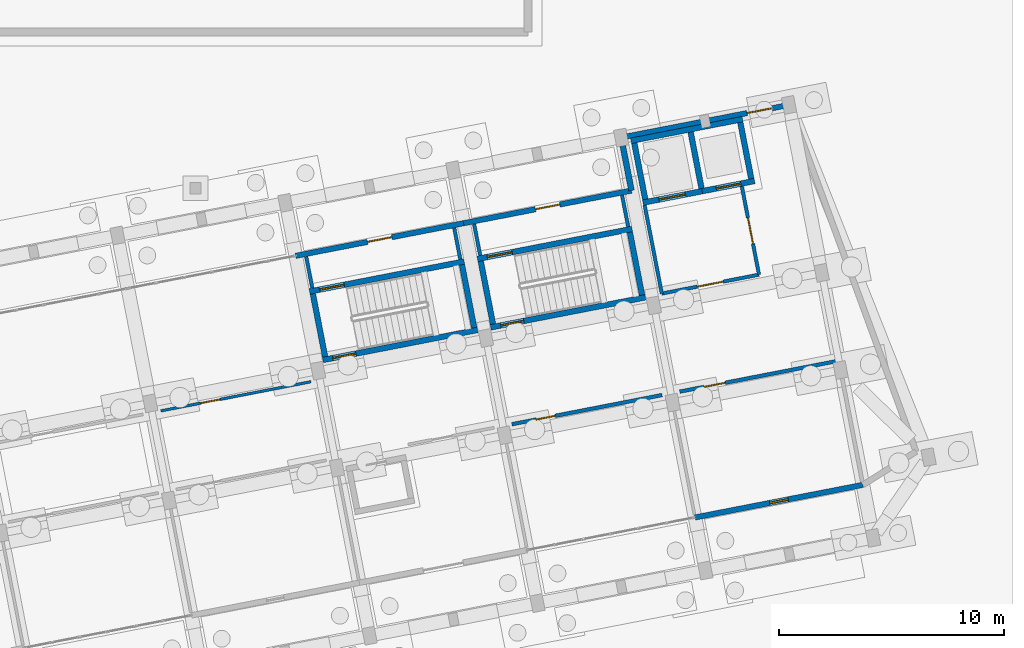
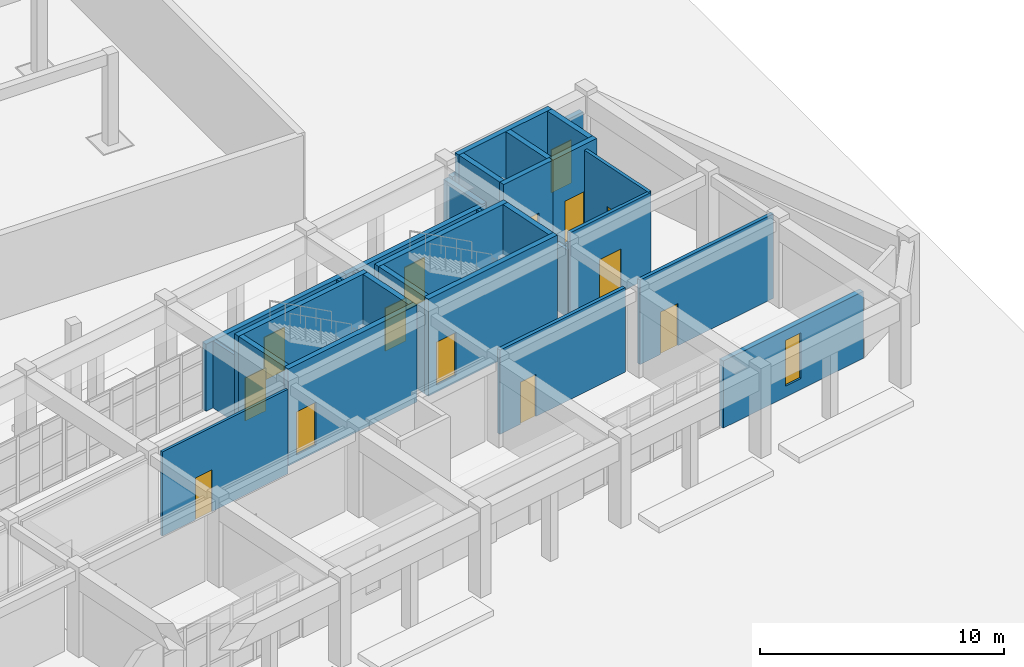
# One storey, part 128 of 154: 29 walls, 14 doors, 1 window, 15 openings.
"""IFC4 building model written with IfcOpenShell, lengths in metres."""

from ifc_helpers import new_model, si_unit, direction, frame, frame_2d, origin, place, context, subcontext, project, spatial, rectangle, extrude, material, layer, layer_set, type_object, element, fill, save


model = new_model("IFC4")

# Units and contexts
model_context = context("Model", 3, precision=1e-05, world=origin(), true_north=direction((0.0, 1.0)))
body_context = subcontext(model_context, "Body", "Model", "MODEL_VIEW")
ifc_project = project(units=[si_unit("LENGTHUNIT", "METRE"), si_unit("AREAUNIT", "SQUARE_METRE"), si_unit("VOLUMEUNIT", "CUBIC_METRE"), si_unit("PLANEANGLEUNIT", "RADIAN"), si_unit("MASSUNIT", "GRAM", prefix="KILO")], contexts=[model_context])

# Site, building, storey
site_placement = place(None, origin())
site = spatial("IfcSite", under=ifc_project, at=site_placement, CompositionType="ELEMENT")
building_placement = place(site_placement, origin())
building = spatial("IfcBuilding", under=site, at=building_placement, Name="Kestramere Prow Commons", CompositionType="ELEMENT")
storey_placement = place(building_placement, origin())
storey = spatial("IfcBuildingStorey", under=building, at=storey_placement, Name="L00", CompositionType="ELEMENT", Elevation=0.0)

# Wall
ifc_material_1 = material(Name="Weathered Zinc-Titanium Standing-Seam Cladding")
ifc_layer_1 = layer(ifc_material_1, 0.260009765625)
ifc_layer_set_1 = layer_set([ifc_layer_1], Name="Weathered Zinc-Titanium Standing-Seam Cladding")
wall_type_1 = type_object("IfcWallType", Name="EW-PROW-260", PredefinedType="SOLIDWALL", material=ifc_layer_set_1)
wall_1_placement = place(storey_placement, frame((152.419921875, 58.134765625, 0.0), z_axis=(0.0, 0.0, 1.0), x_axis=(-0.190831541356, 0.981622800685, 0.0)))
element("IfcWall", 1, at=wall_1_placement, inside=storey, type_object=wall_type_1, Name="Block D L00 STP-N Wall", PredefinedType="SOLIDWALL", context=body_context, shape_type="SweptSolid", body=[
    extrude(rectangle(XDim=2.400146484375, YDim=0.260009765625, at=frame_2d((1.2001953125, 0.0))), origin(), (0.0, 0.0, 1.0), 3.35009765625),
])

# Wall, opening, window
ifc_material_2 = material(Name="Fluoropolymer Standing-Seam Zinc-Aluminium Cladding", Category="aluminium")
ifc_layer_2 = layer(ifc_material_2, 0.239990234375)
ifc_layer_set_2 = layer_set([ifc_layer_2], Name="Fluoropolymer Standing-Seam Zinc-Aluminium Cladding")
wall_type_2 = type_object("IfcWallType", Name="EW-SEAM-240", PredefinedType="SOLIDWALL", material=ifc_layer_set_2)
wall_2_placement = place(storey_placement, frame((162.704345703125, 45.056884765625, 0.0), z_axis=(0.0, 0.0, 1.0), x_axis=(-0.981626422232, -0.190812911449, 0.0)))
wall_2 = element("IfcWall", 2, at=wall_2_placement, inside=storey, type_object=wall_type_2, Name="Block D L00 South Recessed Wall 6", PredefinedType="SOLIDWALL", context=body_context, shape_type="SweptSolid", body=[
    extrude(rectangle(XDim=7.60009765625, YDim=0.239990234375, at=frame_2d((3.800048828125, 0.0))), origin(), (0.0, 0.0, 1.0), 3.35009765625),
])
opening_1_placement = place(wall_2_placement, frame((3.3798828125, 0.0, 0.550048828125)))
opening_1 = element("IfcOpeningElement", 3, at=opening_1_placement, cuts=wall_2, Name="Opening WN-14", PredefinedType="OPENING", context=body_context, shape_type="SweptSolid", body=[
    extrude(rectangle(XDim=0.840087890625, YDim=2.280029296875, at=frame_2d((0.419921875, 1.14013671875))), frame((0.0, 0.135009765625, 0.0), z_axis=(0.0, -1.0, 0.0), x_axis=(1.0, 0.0, 0.0)), (0.0, 0.0, 1.0), 0.27001953125),
])
ifc_material_3 = material(Name="Low-E Laminated Double Glazing", Category="glass")
window_type = type_object("IfcWindowType", Name="WN-NAR-840A", PartitioningType="DOUBLE_PANEL_VERTICAL", PredefinedType="WINDOW", material=ifc_material_3)
window_placement = place(opening_1_placement, origin())
window = element("IfcWindow", 4, at=window_placement, inside=storey, type_object=window_type, Name="WN-D-L00-S-5", OverallHeight=2.280029296875, OverallWidth=0.840087890625, PartitioningType="SINGLE_PANEL", PredefinedType="WINDOW", context=body_context, shape_type="SweptSolid", body=[
    extrude(rectangle(XDim=0.840087890625, YDim=2.280029296875, at=frame_2d((0.419921875, 1.14013671875))), frame((0.0, 0.030029296875, 0.0), z_axis=(0.0, -1.0, 0.0), x_axis=(1.0, 0.0, 0.0)), (0.0, 0.0, 1.0), 0.06005859375),
])
fill(opening_1, window)

# Wall, opening, door
wall_3_placement = place(storey_placement, frame((137.499267578125, 55.234375, 0.0), z_axis=(0.0, 0.0, 1.0), x_axis=(0.981625252578, 0.19081892857, 0.0)))
wall_3 = element("IfcWall", 5, at=wall_3_placement, inside=storey, type_object=wall_type_2, Name="Block D L00 North Recessed Wall 4", PredefinedType="SOLIDWALL", context=body_context, shape_type="SweptSolid", body=[
    extrude(rectangle(XDim=7.599853515625, YDim=0.239990234375, at=frame_2d((3.7998046875, 0.0))), origin(), (0.0, 0.0, 1.0), 3.35009765625),
])
opening_2_placement = place(wall_3_placement, frame((3.25, 0.0, 0.0)))
opening_2 = element("IfcOpeningElement", 6, at=opening_2_placement, cuts=wall_3, Name="Opening ED-03", PredefinedType="OPENING", context=body_context, shape_type="SweptSolid", body=[
    extrude(rectangle(XDim=1.10009765625, YDim=2.14990234375, at=frame_2d((0.550048828125, 1.074951171875))), frame((0.0, 0.135009765625, 0.0), z_axis=(0.0, -1.0, 0.0), x_axis=(1.0, 0.0, 0.0)), (0.0, 0.0, 1.0), 0.27001953125),
])
ifc_material_4 = material(Name="Thermally-Broken Anodised Aluminium Glazed", Category="aluminium")
door_type_1 = type_object("IfcDoorType", Name="ED-STAIR-1100", OperationType="NOTDEFINED", PredefinedType="DOOR", material=ifc_material_4)
door_1_placement = place(opening_2_placement, origin())
door_1 = element("IfcDoor", 7, at=door_1_placement, inside=storey, type_object=door_type_1, Name="Block D Stair 1 Final Exit Door", OperationType="SINGLE_SWING_RIGHT", OverallHeight=2.14990234375, OverallWidth=1.10009765625, PredefinedType="DOOR", context=body_context, shape_type="SweptSolid", body=[
    extrude(rectangle(XDim=1.10009765625, YDim=2.14990234375, at=frame_2d((0.550048828125, 1.074951171875))), frame((0.0, 0.02490234375, 0.0), z_axis=(0.0, -1.0, 0.0), x_axis=(1.0, 0.0, 0.0)), (0.0, 0.0, 1.0), 0.050048828125),
])
fill(opening_2, door_1)

wall_4_placement = place(storey_placement, frame((144.95947265625, 56.6845703125, 0.0), z_axis=(0.0, 0.0, 1.0), x_axis=(0.981626422232, 0.190812911449, 0.0)))
wall_4 = element("IfcWall", 8, at=wall_4_placement, inside=storey, type_object=wall_type_2, Name="Block D L00 North Recessed Wall 5", PredefinedType="SOLIDWALL", context=body_context, shape_type="SweptSolid", body=[
    extrude(rectangle(XDim=7.60009765625, YDim=0.239990234375, at=frame_2d((3.800048828125, 0.0))), origin(), (0.0, 0.0, 1.0), 3.35009765625),
])
opening_3_placement = place(wall_4_placement, frame((3.25, 0.0, 0.0)))
opening_3 = element("IfcOpeningElement", 9, at=opening_3_placement, cuts=wall_4, Name="Opening ED-03", PredefinedType="OPENING", context=body_context, shape_type="SweptSolid", body=[
    extrude(rectangle(XDim=1.10009765625, YDim=2.14990234375, at=frame_2d((0.550048828125, 1.074951171875))), frame((0.0, 0.135009765625, 0.0), z_axis=(0.0, -1.0, 0.0), x_axis=(1.0, 0.0, 0.0)), (0.0, 0.0, 1.0), 0.27001953125),
])
door_2_placement = place(opening_3_placement, origin())
door_2 = element("IfcDoor", 10, at=door_2_placement, inside=storey, type_object=door_type_1, Name="Block D Stair 2 Final Exit Door", OperationType="SINGLE_SWING_LEFT", OverallHeight=2.14990234375, OverallWidth=1.10009765625, PredefinedType="DOOR", context=body_context, shape_type="SweptSolid", body=[
    extrude(rectangle(XDim=1.10009765625, YDim=2.14990234375, at=frame_2d((0.550048828125, 1.074951171875))), frame((0.0, 0.02490234375, 0.0), z_axis=(0.0, -1.0, 0.0), x_axis=(1.0, 0.0, 0.0)), (0.0, 0.0, 1.0), 0.050048828125),
])
fill(opening_3, door_2)

wall_5_placement = place(storey_placement, frame((152.207275390625, 60.538330078125, 0.0), z_axis=(0.0, 0.0, 1.0), x_axis=(0.98162827229, 0.190803393686, 0.0)))
wall_5 = element("IfcWall", 11, at=wall_5_placement, inside=storey, type_object=wall_type_2, Name="Block D L00 North Recessed Wall 6", PredefinedType="SOLIDWALL", context=body_context, shape_type="SweptSolid", body=[
    extrude(rectangle(XDim=7.10009765625, YDim=0.239990234375, at=frame_2d((3.550048828125, 0.0))), origin(), (0.0, 0.0, 1.0), 3.35009765625),
])
opening_4_placement = place(wall_5_placement, frame((5.449951171875, 0.0, 0.0)))
opening_4 = element("IfcOpeningElement", 12, at=opening_4_placement, cuts=wall_5, Name="Opening ED-04", PredefinedType="OPENING", context=body_context, shape_type="SweptSolid", body=[
    extrude(rectangle(XDim=1.10009765625, YDim=2.14990234375, at=frame_2d((0.550048828125, 1.074951171875))), frame((0.0, 0.135009765625, 0.0), z_axis=(0.0, -1.0, 0.0), x_axis=(1.0, 0.0, 0.0)), (0.0, 0.0, 1.0), 0.27001953125),
])
door_type_2 = type_object("IfcDoorType", Name="ED-FFL-1100", OperationType="NOTDEFINED", PredefinedType="DOOR", material=ifc_material_4)
door_3_placement = place(opening_4_placement, origin())
door_3 = element("IfcDoor", 13, at=door_3_placement, inside=storey, type_object=door_type_2, Name="Block D Fire-Fighting Lobby Exit Door", OperationType="SINGLE_SWING_RIGHT", OverallHeight=2.14990234375, OverallWidth=1.10009765625, PredefinedType="DOOR", context=body_context, shape_type="SweptSolid", body=[
    extrude(rectangle(XDim=1.10009765625, YDim=2.14990234375, at=frame_2d((0.550048828125, 1.074951171875))), frame((0.0, 0.02490234375, 0.0), z_axis=(0.0, -1.0, 0.0), x_axis=(1.0, 0.0, 0.0)), (0.0, 0.0, 1.0), 0.050048828125),
])
fill(opening_4, door_3)

# Wall
ifc_material_5 = material(Name="Concrete C40/50", Category="concrete")
ifc_layer_3 = layer(ifc_material_5, 0.25)
ifc_layer_set_3 = layer_set([ifc_layer_3], Name="Concrete C40/50")
wall_type_3 = type_object("IfcWallType", Name="W-CORE-250", PredefinedType="SHEAR", material=ifc_layer_set_3)
wall_6_placement = place(storey_placement, frame((152.3974609375, 60.34619140625, -0.35009765625), z_axis=(0.0, 0.0, 1.0), x_axis=(0.981635261308, 0.190767433692, 0.0)))
element("IfcWall", 14, at=wall_6_placement, inside=storey, type_object=wall_type_3, Name="Block D L00 Lift Core Back Wall", PredefinedType="SHEAR", context=body_context, shape_type="SweptSolid", body=[
    extrude(rectangle(XDim=5.050048828125, YDim=0.25, at=frame_2d((2.52490234375, 0.0))), origin(), (0.0, 0.0, 1.0), 4.85009765625),
])

# Wall, opening, door
wall_7_placement = place(storey_placement, frame((152.931884765625, 57.59765625, -0.35009765625), z_axis=(0.0, 0.0, 1.0), x_axis=(0.981636759622, 0.190759723627, 0.0)))
wall_7 = element("IfcWall", 15, at=wall_7_placement, inside=storey, type_object=wall_type_3, Name="Block D L00 Fire Lift Shaft Front Wall", PredefinedType="SHEAR", context=body_context, shape_type="SweptSolid", body=[
    extrude(rectangle(XDim=2.6748046875, YDim=0.25, at=frame_2d((1.33740234375, 0.0))), origin(), (0.0, 0.0, 1.0), 4.85009765625),
])
opening_5_placement = place(wall_7_placement, frame((0.719970703125, 0.0, 0.35009765625)))
opening_5 = element("IfcOpeningElement", 16, at=opening_5_placement, cuts=wall_7, Name="Opening LD-02", PredefinedType="OPENING", context=body_context, shape_type="SweptSolid", body=[
    extrude(rectangle(XDim=1.199951171875, YDim=2.199951171875, at=frame_2d((0.60009765625, 1.10009765625))), frame((0.0, 0.139892578125, 0.0), z_axis=(0.0, -1.0, 0.0), x_axis=(1.0, 0.0, 0.0)), (0.0, 0.0, 1.0), 0.280029296875),
])
ifc_material_6 = material(Name="Brushed Stainless Steel 316", Category="steel")
door_type_3 = type_object("IfcDoorType", Name="LD-02", OperationType="DOUBLE_DOOR_SLIDING", PredefinedType="DOOR", material=ifc_material_6)
door_4_placement = place(opening_5_placement, origin())
door_4 = element("IfcDoor", 17, at=door_4_placement, inside=storey, type_object=door_type_3, Name="FL-D1 L00 Lift Landing Door", OperationType="DOUBLE_DOOR_SLIDING", OverallHeight=2.199951171875, OverallWidth=1.199951171875, PredefinedType="DOOR", context=body_context, shape_type="SweptSolid", body=[
    extrude(rectangle(XDim=1.199951171875, YDim=2.199951171875, at=frame_2d((0.60009765625, 1.10009765625))), frame((0.0, 0.02490234375, 0.0), z_axis=(0.0, -1.0, 0.0), x_axis=(1.0, 0.0, 0.0)), (0.0, 0.0, 1.0), 0.050048828125),
])
fill(opening_5, door_4)

wall_8_placement = place(storey_placement, frame((155.5576171875, 58.10791015625, -0.35009765625), z_axis=(0.0, 0.0, 1.0), x_axis=(0.981633573872, 0.190776116556, 0.0)))
wall_8 = element("IfcWall", 18, at=wall_8_placement, inside=storey, type_object=wall_type_3, Name="Block D L00 Passenger Lift Shaft Front Wall", PredefinedType="SHEAR", context=body_context, shape_type="SweptSolid", body=[
    extrude(rectangle(XDim=2.375244140625, YDim=0.25, at=frame_2d((1.1875, 0.0))), origin(), (0.0, 0.0, 1.0), 4.85009765625),
])
opening_6_placement = place(wall_8_placement, frame((0.64990234375, 0.0, 0.35009765625)))
opening_6 = element("IfcOpeningElement", 19, at=opening_6_placement, cuts=wall_8, Name="Opening LD-01", PredefinedType="OPENING", context=body_context, shape_type="SweptSolid", body=[
    extrude(rectangle(XDim=1.10009765625, YDim=2.14990234375, at=frame_2d((0.550048828125, 1.074951171875))), frame((0.0, 0.139892578125, 0.0), z_axis=(0.0, -1.0, 0.0), x_axis=(1.0, 0.0, 0.0)), (0.0, 0.0, 1.0), 0.280029296875),
])
ifc_material_7 = material(Name="Brushed Stainless Steel 304", Category="steel")
door_type_4 = type_object("IfcDoorType", Name="LD-01", OperationType="DOUBLE_DOOR_SLIDING", PredefinedType="DOOR", material=ifc_material_7)
door_5_placement = place(opening_6_placement, origin())
door_5 = element("IfcDoor", 20, at=door_5_placement, inside=storey, type_object=door_type_4, Name="PL-D2 L00 Lift Landing Door", OperationType="DOUBLE_DOOR_SLIDING", OverallHeight=2.14990234375, OverallWidth=1.10009765625, PredefinedType="DOOR", context=body_context, shape_type="SweptSolid", body=[
    extrude(rectangle(XDim=1.10009765625, YDim=2.14990234375, at=frame_2d((0.550048828125, 1.074951171875))), frame((0.0, 0.02490234375, 0.0), z_axis=(0.0, -1.0, 0.0), x_axis=(1.0, 0.0, 0.0)), (0.0, 0.0, 1.0), 0.050048828125),
])
fill(opening_6, door_5)

# Walls
for number, where, z_axis, x_axis, name in (
    (21, (153.03076171875, 57.744140625, -0.35009765625), (0.0, 0.0, 1.0), (-0.190810719655, 0.98162684828, 0.0), "Block D L00 Lift Core Side Wall L"),
    (22, (155.533935546875, 58.230712890625, -0.35009765625), (0.0, 0.0, 1.0), (-0.190810719655, 0.98162684828, 0.0), "Block D L00 Lift Core Side Wall M"),
    (23, (157.742431640625, 58.659912109375, -0.35009765625), (0.0, 0.0, 1.0), (-0.190810719655, 0.98162684828, 0.0), "Block D L00 Lift Core Side Wall R"),
):
    element("IfcWall", number, at=place(storey_placement, frame(where, z_axis=z_axis, x_axis=x_axis)), inside=storey, type_object=wall_type_3, Name=name, PredefinedType="SHEAR", context=body_context, shape_type="SweptSolid", body=[
        extrude(rectangle(XDim=2.550048828125, YDim=0.25, at=frame_2d((1.27490234375, 0.0))), origin(), (0.0, 0.0, 1.0), 4.85009765625),
    ])

# Wall, opening, door
wall_9_placement = place(storey_placement, frame((138.11328125, 53.6474609375, -0.35009765625), z_axis=(0.0, 0.0, 1.0), x_axis=(0.981626097708, 0.19081458094, 0.0)))
wall_9 = element("IfcWall", 24, at=wall_9_placement, inside=storey, type_object=wall_type_3, Name="ST-D1 L00 North Shaft Wall", PredefinedType="SHEAR", context=body_context, shape_type="SweptSolid", body=[
    extrude(rectangle(XDim=7.0, YDim=0.25, at=frame_2d((3.5, 0.0))), origin(), (0.0, 0.0, 1.0), 4.85009765625),
])
opening_7_placement = place(wall_9_placement, frame((0.449951171875, 0.0, 0.35009765625)))
opening_7 = element("IfcOpeningElement", 25, at=opening_7_placement, cuts=wall_9, Name="Opening ID-02", PredefinedType="OPENING", context=body_context, shape_type="SweptSolid", body=[
    extrude(rectangle(XDim=1.1201171875, YDim=2.14990234375, at=frame_2d((0.56005859375, 1.074951171875))), frame((0.0, 0.139892578125, 0.0), z_axis=(0.0, -1.0, 0.0), x_axis=(1.0, 0.0, 0.0)), (0.0, 0.0, 1.0), 0.280029296875),
])
ifc_material_8 = material(Name="Fire-Rated Timber and Steel Frame", Category="steel")
door_type_5 = type_object("IfcDoorType", Name="FD-ST-02", OperationType="NOTDEFINED", PredefinedType="DOOR", material=ifc_material_8)
door_6_placement = place(opening_7_placement, origin())
door_6 = element("IfcDoor", 26, at=door_6_placement, inside=storey, type_object=door_type_5, Name="ST-D1 L00 Discharge Vestibule Door", OperationType="SINGLE_SWING_RIGHT", OverallHeight=2.14990234375, OverallWidth=1.1201171875, PredefinedType="DOOR", context=body_context, shape_type="SweptSolid", body=[
    extrude(rectangle(XDim=1.1201171875, YDim=2.14990234375, at=frame_2d((0.56005859375, 1.074951171875))), frame((0.0, 0.02490234375, 0.0), z_axis=(0.0, -1.0, 0.0), x_axis=(1.0, 0.0, 0.0)), (0.0, 0.0, 1.0), 0.050048828125),
])
fill(opening_7, door_6)

wall_10_placement = place(storey_placement, frame((138.704833984375, 50.6044921875, -0.35009765625), z_axis=(0.0, 0.0, 1.0), x_axis=(0.981626097708, 0.19081458094, 0.0)))
wall_10 = element("IfcWall", 27, at=wall_10_placement, inside=storey, type_object=wall_type_3, Name="ST-D1 L00 Corridor Shaft Wall", PredefinedType="SHEAR", context=body_context, shape_type="SweptSolid", body=[
    extrude(rectangle(XDim=7.0, YDim=0.25, at=frame_2d((3.5, 0.0))), origin(), (0.0, 0.0, 1.0), 4.85009765625),
])
opening_8_placement = place(wall_10_placement, frame((0.449951171875, 0.0, 0.35009765625)))
opening_8 = element("IfcOpeningElement", 28, at=opening_8_placement, cuts=wall_10, Name="Opening ID-01", PredefinedType="OPENING", context=body_context, shape_type="SweptSolid", body=[
    extrude(rectangle(XDim=1.050048828125, YDim=2.14990234375, at=frame_2d((0.52490234375, 1.074951171875))), frame((0.0, 0.139892578125, 0.0), z_axis=(0.0, -1.0, 0.0), x_axis=(1.0, 0.0, 0.0)), (0.0, 0.0, 1.0), 0.280029296875),
])
door_type_6 = type_object("IfcDoorType", Name="FD-ST-01", OperationType="NOTDEFINED", PredefinedType="DOOR", material=ifc_material_8)
door_7_placement = place(opening_8_placement, origin())
door_7 = element("IfcDoor", 29, at=door_7_placement, inside=storey, type_object=door_type_6, Name="ST-D1 L00 Protected Stair Door", OperationType="SINGLE_SWING_LEFT", OverallHeight=2.14990234375, OverallWidth=1.050048828125, PredefinedType="DOOR", context=body_context, shape_type="SweptSolid", body=[
    extrude(rectangle(XDim=1.050048828125, YDim=2.14990234375, at=frame_2d((0.52490234375, 1.074951171875))), frame((0.0, 0.02490234375, 0.0), z_axis=(0.0, -1.0, 0.0), x_axis=(1.0, 0.0, 0.0)), (0.0, 0.0, 1.0), 0.050048828125),
])
fill(opening_8, door_7)

# Walls
wall_11_placement = place(storey_placement, frame((138.8037109375, 50.7509765625, -0.35009765625), z_axis=(0.0, 0.0, 1.0), x_axis=(-0.190858194834, 0.981617618762, 0.0)))
element("IfcWall", 30, at=wall_11_placement, inside=storey, type_object=wall_type_3, Name="ST-D1 L00 Near Shaft Wall", PredefinedType="SHEAR", context=body_context, shape_type="SweptSolid", body=[
    extrude(rectangle(XDim=2.85009765625, YDim=0.25, at=frame_2d((1.425048828125, 0.0))), origin(), (0.0, 0.0, 1.0), 4.85009765625),
])
wall_12_placement = place(storey_placement, frame((145.4296875, 52.038818359375, -0.35009765625), z_axis=(0.0, 0.0, 1.0), x_axis=(-0.190842147128, 0.981620738819, 0.0)))
element("IfcWall", 31, at=wall_12_placement, inside=storey, type_object=wall_type_3, Name="ST-D1 L00 Far Shaft Wall", PredefinedType="SHEAR", context=body_context, shape_type="SweptSolid", body=[
    extrude(rectangle(XDim=2.850341796875, YDim=0.25, at=frame_2d((1.42529296875, 0.0))), origin(), (0.0, 0.0, 1.0), 4.85009765625),
])

# Wall, opening, door
wall_13_placement = place(storey_placement, frame((145.57373046875, 55.09765625, -0.35009765625), z_axis=(0.0, 0.0, 1.0), x_axis=(0.981626097708, 0.19081458094, 0.0)))
wall_13 = element("IfcWall", 32, at=wall_13_placement, inside=storey, type_object=wall_type_3, Name="ST-D2 L00 North Shaft Wall", PredefinedType="SHEAR", context=body_context, shape_type="SweptSolid", body=[
    extrude(rectangle(XDim=7.0, YDim=0.25, at=frame_2d((3.5, 0.0))), origin(), (0.0, 0.0, 1.0), 4.85009765625),
])
opening_9_placement = place(wall_13_placement, frame((0.449951171875, 0.0, 0.35009765625)))
opening_9 = element("IfcOpeningElement", 33, at=opening_9_placement, cuts=wall_13, Name="Opening ID-02", PredefinedType="OPENING", context=body_context, shape_type="SweptSolid", body=[
    extrude(rectangle(XDim=1.1201171875, YDim=2.14990234375, at=frame_2d((0.56005859375, 1.074951171875))), frame((0.0, 0.139892578125, 0.0), z_axis=(0.0, -1.0, 0.0), x_axis=(1.0, 0.0, 0.0)), (0.0, 0.0, 1.0), 0.280029296875),
])
door_8_placement = place(opening_9_placement, origin())
door_8 = element("IfcDoor", 34, at=door_8_placement, inside=storey, type_object=door_type_5, Name="ST-D2 L00 Discharge Vestibule Door", OperationType="SINGLE_SWING_RIGHT", OverallHeight=2.14990234375, OverallWidth=1.1201171875, PredefinedType="DOOR", context=body_context, shape_type="SweptSolid", body=[
    extrude(rectangle(XDim=1.1201171875, YDim=2.14990234375, at=frame_2d((0.56005859375, 1.074951171875))), frame((0.0, 0.02490234375, 0.0), z_axis=(0.0, -1.0, 0.0), x_axis=(1.0, 0.0, 0.0)), (0.0, 0.0, 1.0), 0.050048828125),
])
fill(opening_9, door_8)

wall_14_placement = place(storey_placement, frame((146.1650390625, 52.054443359375, -0.35009765625), z_axis=(0.0, 0.0, 1.0), x_axis=(0.981627367538, 0.190808048312, 0.0)))
wall_14 = element("IfcWall", 35, at=wall_14_placement, inside=storey, type_object=wall_type_3, Name="ST-D2 L00 Corridor Shaft Wall", PredefinedType="SHEAR", context=body_context, shape_type="SweptSolid", body=[
    extrude(rectangle(XDim=7.000244140625, YDim=0.25, at=frame_2d((3.5, 0.0))), origin(), (0.0, 0.0, 1.0), 4.85009765625),
])
opening_10_placement = place(wall_14_placement, frame((0.449951171875, 0.0, 0.35009765625)))
opening_10 = element("IfcOpeningElement", 36, at=opening_10_placement, cuts=wall_14, Name="Opening ID-01", PredefinedType="OPENING", context=body_context, shape_type="SweptSolid", body=[
    extrude(rectangle(XDim=1.050048828125, YDim=2.14990234375, at=frame_2d((0.52490234375, 1.074951171875))), frame((0.0, 0.139892578125, 0.0), z_axis=(0.0, -1.0, 0.0), x_axis=(1.0, 0.0, 0.0)), (0.0, 0.0, 1.0), 0.280029296875),
])
door_9_placement = place(opening_10_placement, origin())
door_9 = element("IfcDoor", 37, at=door_9_placement, inside=storey, type_object=door_type_6, Name="ST-D2 L00 Protected Stair Door", OperationType="SINGLE_SWING_LEFT", OverallHeight=2.14990234375, OverallWidth=1.050048828125, PredefinedType="DOOR", context=body_context, shape_type="SweptSolid", body=[
    extrude(rectangle(XDim=1.050048828125, YDim=2.14990234375, at=frame_2d((0.52490234375, 1.074951171875))), frame((0.0, 0.02490234375, 0.0), z_axis=(0.0, -1.0, 0.0), x_axis=(1.0, 0.0, 0.0)), (0.0, 0.0, 1.0), 0.050048828125),
])
fill(opening_10, door_9)

# Walls
for number, where, z_axis, x_axis, name in (
    (38, (146.263916015625, 52.201171875, -0.35009765625), (0.0, 0.0, 1.0), (-0.190775649797, 0.981633664584, 0.0), "ST-D2 L00 Near Shaft Wall"),
    (39, (152.889892578125, 53.489013671875, -0.35009765625), (0.0, 0.0, 1.0), (-0.190775649797, 0.981633664584, 0.0), "ST-D2 L00 Far Shaft Wall"),
):
    element("IfcWall", number, at=place(storey_placement, frame(where, z_axis=z_axis, x_axis=x_axis)), inside=storey, type_object=wall_type_3, Name=name, PredefinedType="SHEAR", context=body_context, shape_type="SweptSolid", body=[
        extrude(rectangle(XDim=2.849853515625, YDim=0.25, at=frame_2d((1.4248046875, 0.0))), origin(), (0.0, 0.0, 1.0), 4.85009765625),
    ])

# Wall, opening, door
ifc_material_9 = material(Name="Fire-Rated Calcium Silicate Wall")
ifc_layer_4 = layer(ifc_material_9, 0.155029296875)
ifc_layer_set_4 = layer_set([ifc_layer_4], Name="Fire-Rated Calcium Silicate Wall")
wall_type_4 = type_object("IfcWallType", Name="W-FIRE-150", PredefinedType="PARTITIONING", material=ifc_layer_set_4)
wall_15_placement = place(storey_placement, frame((153.76806640625, 53.557861328125, 0.0), z_axis=(0.0, 0.0, 1.0), x_axis=(0.981624918225, 0.190820648566, 0.0)))
wall_15 = element("IfcWall", 40, at=wall_15_placement, inside=storey, type_object=wall_type_4, Name="Interior Partition PW-D-L00-FFL-S", PredefinedType="PARTITIONING", context=body_context, shape_type="SweptSolid", body=[
    extrude(rectangle(XDim=4.39990234375, YDim=0.155029296875, at=frame_2d((2.199951171875, 0.0))), origin(), (0.0, 0.0, 1.0), 4.219970703125),
])
opening_11_placement = place(wall_15_placement, frame((1.60009765625, 0.0, 0.0)))
opening_11 = element("IfcOpeningElement", 41, at=opening_11_placement, cuts=wall_15, Name="Opening ID-03", PredefinedType="OPENING", context=body_context, shape_type="SweptSolid", body=[
    extrude(rectangle(XDim=1.179931640625, YDim=2.14990234375, at=frame_2d((0.58984375, 1.074951171875))), frame((0.0, 0.092529296875, 0.0), z_axis=(0.0, -1.0, 0.0), x_axis=(1.0, 0.0, 0.0)), (0.0, 0.0, 1.0), 0.18505859375),
])
ifc_material_10 = material(Name="Fire-Rated Glazed Smoke-Stop Door")
door_type_7 = type_object("IfcDoorType", Name="FD-LB-01", OperationType="NOTDEFINED", PredefinedType="DOOR", material=ifc_material_10)
door_10_placement = place(opening_11_placement, origin())
door_10 = element("IfcDoor", 42, at=door_10_placement, inside=storey, type_object=door_type_7, Name="Interior Door DR-D-L00-FFL", OperationType="SINGLE_SWING_LEFT", OverallHeight=2.14990234375, OverallWidth=1.179931640625, PredefinedType="DOOR", context=body_context, shape_type="SweptSolid", body=[
    extrude(rectangle(XDim=1.179931640625, YDim=2.14990234375, at=frame_2d((0.58984375, 1.074951171875))), frame((0.0, 0.02490234375, 0.0), z_axis=(0.0, -1.0, 0.0), x_axis=(1.0, 0.0, 0.0)), (0.0, 0.0, 1.0), 0.050048828125),
])
fill(opening_11, door_10)

# Wall
wall_16_placement = place(storey_placement, frame((153.76806640625, 53.557861328125, 0.0), z_axis=(0.0, 0.0, 1.0), x_axis=(-0.19085495634, 0.981618248425, 0.0)))
element("IfcWall", 43, at=wall_16_placement, inside=storey, type_object=wall_type_4, Name="Interior Partition PW-D-L00-FFL-W", PredefinedType="PARTITIONING", context=body_context, shape_type="SweptSolid", body=[
    extrude(rectangle(XDim=4.0, YDim=0.155029296875, at=frame_2d((2.0, 0.0))), origin(), (0.0, 0.0, 1.0), 3.35009765625),
])

# Wall, opening, door
wall_17_placement = place(storey_placement, frame((158.087158203125, 54.3974609375, 0.0), z_axis=(0.0, 0.0, 1.0), x_axis=(-0.190796144009, 0.981629681413, 0.0)))
wall_17 = element("IfcWall", 44, at=wall_17_placement, inside=storey, type_object=wall_type_4, Name="Interior Partition PW-D-L00-FFL-E", PredefinedType="PARTITIONING", context=body_context, shape_type="SweptSolid", body=[
    extrude(rectangle(XDim=4.0, YDim=0.155029296875, at=frame_2d((2.0, 0.0))), origin(), (0.0, 0.0, 1.0), 4.219970703125),
])
opening_12_placement = place(wall_17_placement, frame((1.39990234375, 0.0, 0.0)))
opening_12 = element("IfcOpeningElement", 45, at=opening_12_placement, cuts=wall_17, Name="Opening ID-03", PredefinedType="OPENING", context=body_context, shape_type="SweptSolid", body=[
    extrude(rectangle(XDim=1.179931640625, YDim=2.14990234375, at=frame_2d((0.58984375, 1.074951171875))), frame((0.0, 0.092529296875, 0.0), z_axis=(0.0, -1.0, 0.0), x_axis=(1.0, 0.0, 0.0)), (0.0, 0.0, 1.0), 0.18505859375),
])
door_11_placement = place(opening_12_placement, origin())
door_11 = element("IfcDoor", 46, at=door_11_placement, inside=storey, type_object=door_type_7, Name="Interior Door DR-D-L00-FFL-PL", OperationType="SINGLE_SWING_LEFT", OverallHeight=2.14990234375, OverallWidth=1.179931640625, PredefinedType="DOOR", context=body_context, shape_type="SweptSolid", body=[
    extrude(rectangle(XDim=1.179931640625, YDim=2.14990234375, at=frame_2d((0.58984375, 1.074951171875))), frame((0.0, 0.02490234375, 0.0), z_axis=(0.0, -1.0, 0.0), x_axis=(1.0, 0.0, 0.0)), (0.0, 0.0, 1.0), 0.050048828125),
])
fill(opening_12, door_11)

# Walls
wall_18_placement = place(storey_placement, frame((138.235595703125, 53.8037109375, 0.0), z_axis=(0.0, 0.0, 1.0), x_axis=(-0.190690165368, 0.981650274197, 0.0)))
element("IfcWall", 47, at=wall_18_placement, inside=storey, type_object=wall_type_4, Name="ST-D1 Discharge Vestibule Wall W", PredefinedType="PARTITIONING", context=body_context, shape_type="SweptSolid", body=[
    extrude(rectangle(XDim=1.419921875, YDim=0.155029296875, at=frame_2d((0.7099609375, 0.0))), origin(), (0.0, 0.0, 1.0), 3.35009765625),
])
wall_19_placement = place(storey_placement, frame((144.8125, 55.08203125, 0.0), z_axis=(0.0, 0.0, 1.0), x_axis=(-0.190657983598, 0.98165652511, 0.0)))
element("IfcWall", 48, at=wall_19_placement, inside=storey, type_object=wall_type_4, Name="ST-D1 Discharge Vestibule Wall E", PredefinedType="PARTITIONING", context=body_context, shape_type="SweptSolid", body=[
    extrude(rectangle(XDim=1.420166015625, YDim=0.155029296875, at=frame_2d((0.7099609375, 0.0))), origin(), (0.0, 0.0, 1.0), 3.35009765625),
])
wall_20_placement = place(storey_placement, frame((145.696044921875, 55.25390625, 0.0), z_axis=(0.0, 0.0, 1.0), x_axis=(-0.190855852571, 0.981618074171, 0.0)))
element("IfcWall", 49, at=wall_20_placement, inside=storey, type_object=wall_type_4, Name="ST-D2 Discharge Vestibule Wall W", PredefinedType="PARTITIONING", context=body_context, shape_type="SweptSolid", body=[
    extrude(rectangle(XDim=1.419921875, YDim=0.155029296875, at=frame_2d((0.7099609375, 0.0))), origin(), (0.0, 0.0, 1.0), 3.35009765625),
])
wall_21_placement = place(storey_placement, frame((152.27294921875, 56.5322265625, 0.0), z_axis=(0.0, 0.0, 1.0), x_axis=(-0.190823644952, 0.981624335745, 0.0)))
element("IfcWall", 50, at=wall_21_placement, inside=storey, type_object=wall_type_4, Name="ST-D2 Discharge Vestibule Wall E", PredefinedType="PARTITIONING", context=body_context, shape_type="SweptSolid", body=[
    extrude(rectangle(XDim=1.420166015625, YDim=0.155029296875, at=frame_2d((0.7099609375, 0.0))), origin(), (0.0, 0.0, 1.0), 3.35009765625),
])

# Wall, opening, door
ifc_material_11 = material(Name="Lightweight Blockwork and Plaster", Category="masonry")
ifc_layer_5 = layer(ifc_material_11, 0.1201171875)
ifc_layer_set_5 = layer_set([ifc_layer_5], Name="Lightweight Blockwork and Plaster")
wall_type_5 = type_object("IfcWallType", Name="W-PART-120", PredefinedType="PARTITIONING", material=ifc_layer_set_5)
wall_22_placement = place(storey_placement, frame((131.50390625, 48.34375, 0.0), z_axis=(0.0, 0.0, 1.0), x_axis=(0.981624170853, 0.190824493182, 0.0)))
wall_22 = element("IfcWall", 51, at=wall_22_placement, inside=storey, type_object=wall_type_5, Name="Interior Partition PW-D-L00-CN-2", PredefinedType="PARTITIONING", context=body_context, shape_type="SweptSolid", body=[
    extrude(rectangle(XDim=6.800048828125, YDim=0.1201171875, at=frame_2d((3.39990234375, 0.0))), origin(), (0.0, 0.0, 1.0), 4.219970703125),
])
opening_13_placement = place(wall_22_placement, frame((1.800048828125, 0.0, 0.0)))
opening_13 = element("IfcOpeningElement", 52, at=opening_13_placement, cuts=wall_22, Name="Opening ID-10", PredefinedType="OPENING", context=body_context, shape_type="SweptSolid", body=[
    extrude(rectangle(XDim=0.8798828125, YDim=2.10009765625, at=frame_2d((0.43994140625, 1.050048828125))), frame((0.0, 0.074951171875, 0.0), z_axis=(0.0, -1.0, 0.0), x_axis=(1.0, 0.0, 0.0)), (0.0, 0.0, 1.0), 0.150146484375),
])
ifc_material_12 = material(Name="Engineered Timber Bedroom Door", Category="wood")
door_type_8 = type_object("IfcDoorType", Name="D-RM-03", OperationType="NOTDEFINED", PredefinedType="DOOR", material=ifc_material_12)
door_12_placement = place(opening_13_placement, origin())
door_12 = element("IfcDoor", 53, at=door_12_placement, inside=storey, type_object=door_type_8, Name="Interior Door DR-D-L00-N-2", OperationType="SINGLE_SWING_RIGHT", OverallHeight=2.10009765625, OverallWidth=0.8798828125, PredefinedType="DOOR", context=body_context, shape_type="SweptSolid", body=[
    extrude(rectangle(XDim=0.8798828125, YDim=2.10009765625, at=frame_2d((0.43994140625, 1.050048828125))), frame((0.0, 0.02490234375, 0.0), z_axis=(0.0, -1.0, 0.0), x_axis=(1.0, 0.0, 0.0)), (0.0, 0.0, 1.0), 0.050048828125),
])
fill(opening_13, door_12)

ifc_material_13 = material(Name="Waterproof Sanitary Masonry Wall", Category="masonry")
ifc_layer_6 = layer(ifc_material_13, 0.1650390625)
ifc_layer_set_6 = layer_set([ifc_layer_6], Name="Waterproof Sanitary Masonry Wall")
wall_type_6 = type_object("IfcWallType", Name="W-PLUMB-150", PredefinedType="PLUMBINGWALL", material=ifc_layer_set_6)
wall_23_placement = place(storey_placement, frame((147.103759765625, 47.74951171875, 0.0), z_axis=(0.0, 0.0, 1.0), x_axis=(0.981624170853, 0.190824493182, 0.0)))
wall_23 = element("IfcWall", 54, at=wall_23_placement, inside=storey, type_object=wall_type_6, Name="Interior Partition PW-D-L00-CS-4", PredefinedType="PLUMBINGWALL", context=body_context, shape_type="SweptSolid", body=[
    extrude(rectangle(XDim=6.800048828125, YDim=0.1650390625, at=frame_2d((3.39990234375, 0.0))), origin(), (0.0, 0.0, 1.0), 4.219970703125),
])
opening_14_placement = place(wall_23_placement, frame((1.10009765625, 0.0, 0.0)))
opening_14 = element("IfcOpeningElement", 55, at=opening_14_placement, cuts=wall_23, Name="Opening ID-12", PredefinedType="OPENING", context=body_context, shape_type="SweptSolid", body=[
    extrude(rectangle(XDim=0.860107421875, YDim=2.10009765625, at=frame_2d((0.43017578125, 1.050048828125))), frame((0.0, 0.097412109375, 0.0), z_axis=(0.0, -1.0, 0.0), x_axis=(1.0, 0.0, 0.0)), (0.0, 0.0, 1.0), 0.195068359375),
])
ifc_material_14 = material(Name="Moisture-Resistant Timber WC Door", Category="wood")
door_type_9 = type_object("IfcDoorType", Name="D-WC-01", OperationType="NOTDEFINED", PredefinedType="DOOR", material=ifc_material_14)
door_13_placement = place(opening_14_placement, origin())
door_13 = element("IfcDoor", 56, at=door_13_placement, inside=storey, type_object=door_type_9, Name="Interior Door DR-D-L00-S-4", OperationType="SINGLE_SWING_LEFT", OverallHeight=2.10009765625, OverallWidth=0.860107421875, PredefinedType="DOOR", context=body_context, shape_type="SweptSolid", body=[
    extrude(rectangle(XDim=0.860107421875, YDim=2.10009765625, at=frame_2d((0.43017578125, 1.050048828125))), frame((0.0, 0.02490234375, 0.0), z_axis=(0.0, -1.0, 0.0), x_axis=(1.0, 0.0, 0.0)), (0.0, 0.0, 1.0), 0.050048828125),
])
fill(opening_14, door_13)

wall_24_placement = place(storey_placement, frame((154.564208984375, 49.19970703125, 0.0), z_axis=(0.0, 0.0, 1.0), x_axis=(0.981628356687, 0.190802959485, 0.0)))
wall_24 = element("IfcWall", 57, at=wall_24_placement, inside=storey, type_object=wall_type_6, Name="Interior Partition PW-D-L00-CS-5", PredefinedType="PLUMBINGWALL", context=body_context, shape_type="SweptSolid", body=[
    extrude(rectangle(XDim=7.25, YDim=0.1650390625, at=frame_2d((3.625, 0.0))), origin(), (0.0, 0.0, 1.0), 4.219970703125),
])
opening_15_placement = place(wall_24_placement, frame((1.10009765625, 0.0, 0.0)))
opening_15 = element("IfcOpeningElement", 58, at=opening_15_placement, cuts=wall_24, Name="Opening ID-13", PredefinedType="OPENING", context=body_context, shape_type="SweptSolid", body=[
    extrude(rectangle(XDim=0.9599609375, YDim=2.1201171875, at=frame_2d((0.47998046875, 1.06005859375))), frame((0.0, 0.097412109375, 0.0), z_axis=(0.0, -1.0, 0.0), x_axis=(1.0, 0.0, 0.0)), (0.0, 0.0, 1.0), 0.195068359375),
])
ifc_material_15 = material(Name="Accessible Wide-Leaf Timber Door", Category="wood")
door_type_10 = type_object("IfcDoorType", Name="D-ACC-01", OperationType="NOTDEFINED", PredefinedType="DOOR", material=ifc_material_15)
door_14_placement = place(opening_15_placement, origin())
door_14 = element("IfcDoor", 59, at=door_14_placement, inside=storey, type_object=door_type_10, Name="Interior Door DR-D-L00-S-5", OperationType="SINGLE_SWING_RIGHT", OverallHeight=2.1201171875, OverallWidth=0.9599609375, PredefinedType="DOOR", context=body_context, shape_type="SweptSolid", body=[
    extrude(rectangle(XDim=0.9599609375, YDim=2.1201171875, at=frame_2d((0.47998046875, 1.06005859375))), frame((0.0, 0.02490234375, 0.0), z_axis=(0.0, -1.0, 0.0), x_axis=(1.0, 0.0, 0.0)), (0.0, 0.0, 1.0), 0.050048828125),
])
fill(opening_15, door_14)

save(model, "model.ifc")
